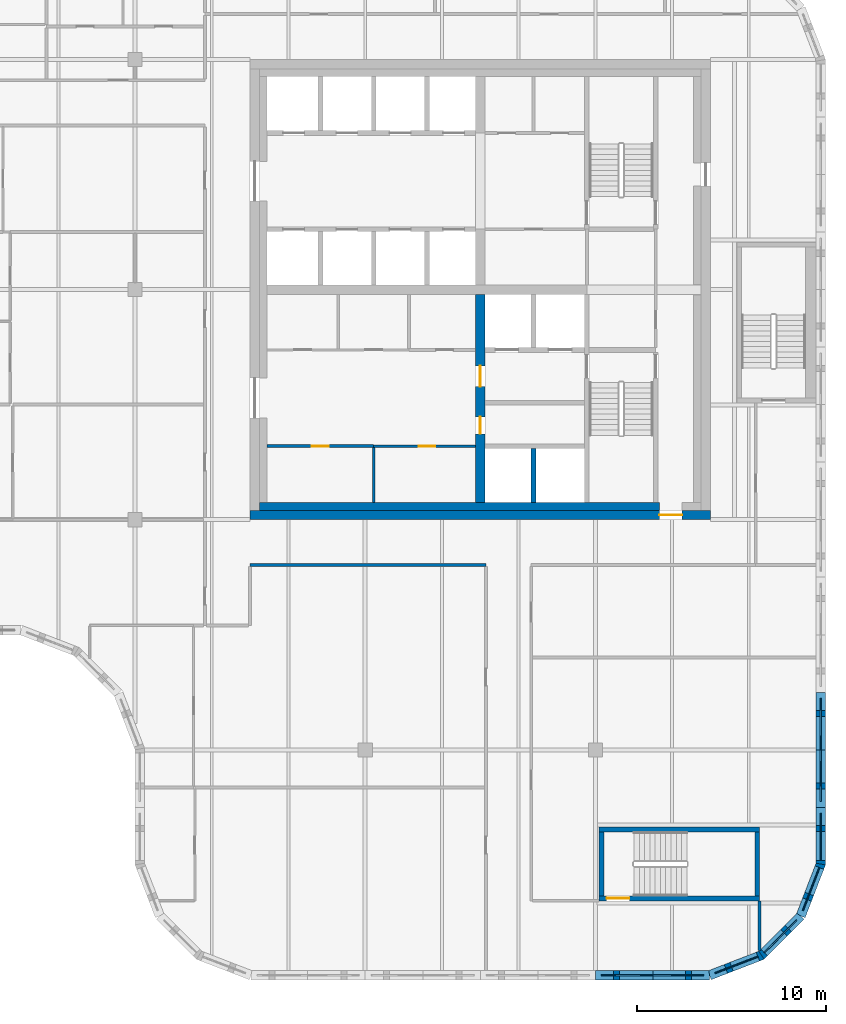
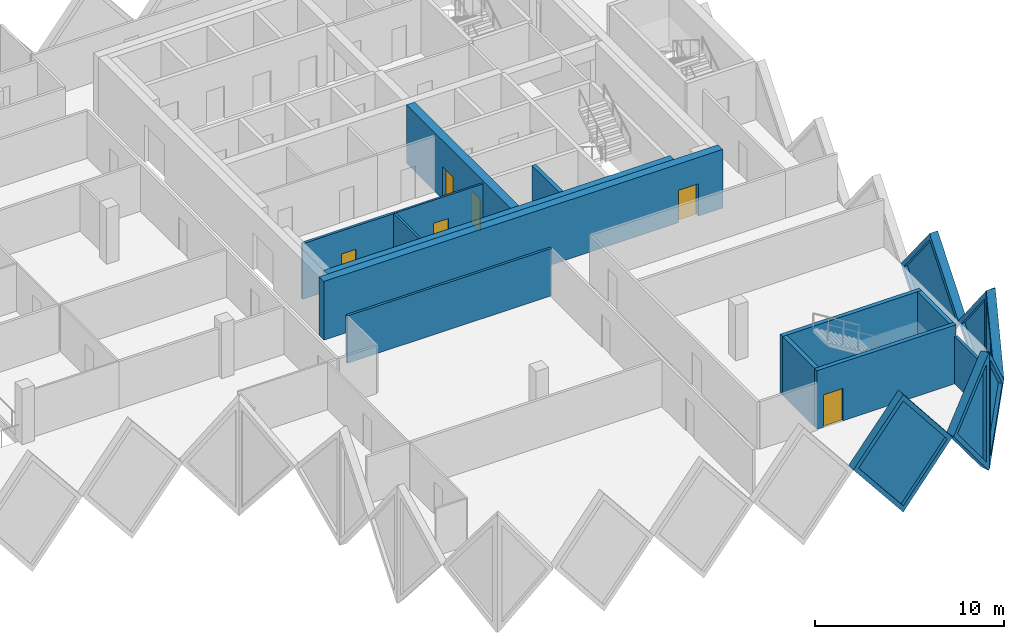
# One storey, part 5 of 11: 19 walls, 6 doors, 6 plates, 12 openings.
"""IFC4 building model written with IfcOpenShell, lengths in metres."""

from ifc_helpers import new_model, si_unit, direction, frame, frame_2d, origin, place, context, subcontext, project, spatial, polyline, rectangle, outline, extrude, faceted_brep, source, transform, mapped, material, layer, layer_set, type_object, element, fill, save


model = new_model("IFC4")

# Units and contexts
model_context = context("Model", 3, precision=1e-05, world=origin(), true_north=direction((0.0, 1.0)))
body_context = subcontext(model_context, "Body", "Model", "MODEL_VIEW")
ifc_project = project(units=[si_unit("LENGTHUNIT", "METRE"), si_unit("AREAUNIT", "SQUARE_METRE"), si_unit("VOLUMEUNIT", "CUBIC_METRE"), si_unit("PLANEANGLEUNIT", "RADIAN"), si_unit("MASSUNIT", "GRAM", prefix="KILO")], contexts=[model_context])

# Site, building, storey
site_placement = place(None, origin())
site = spatial("IfcSite", under=ifc_project, at=site_placement, CompositionType="ELEMENT")
building_placement = place(site_placement, origin())
building = spatial("IfcBuilding", under=site, at=building_placement, Name="Tessera Gate Towers", CompositionType="ELEMENT")
storey_placement = place(building_placement, frame((0.0, 0.0, 224.5)))
storey = spatial("IfcBuildingStorey", under=building, at=storey_placement, Name="L56", CompositionType="ELEMENT", Elevation=224.5)

# Wall
ifc_material_1 = material(Name="Concrete C40/50", Category="concrete")
ifc_layer_1 = layer(ifc_material_1, 0.25)
ifc_layer_set_1 = layer_set([ifc_layer_1], Name="CORE ENCLOSURE WALL 250")
wall_type_1 = type_object("IfcWallType", Name="CORE ENCLOSURE WALL 250", PredefinedType="SOLIDWALL", material=ifc_layer_set_1)
wall_1_placement = place(storey_placement, frame((45.52490234375, 25.300048828125, 0.0), z_axis=(0.0, 0.0, 1.0), x_axis=(0.0, 1.0, 0.0)))
element("IfcWall", 1, at=wall_1_placement, inside=storey, type_object=wall_type_1, Name="L56 shaft and stair enclosure wall", PredefinedType="SOLIDWALL", context=body_context, shape_type="SweptSolid", body=[
    extrude(rectangle(XDim=2.875, YDim=0.25, at=frame_2d((1.4375, 0.0))), origin(), (0.0, 0.0, 1.0), 3.800048828125),
])

# Wall, opening, door
wall_2_placement = place(storey_placement, frame((57.5, 4.324951171875, 0.0), z_axis=(0.0, 0.0, 1.0), x_axis=(-1.0, 0.0, 0.0)))
wall_2 = element("IfcWall", 2, at=wall_2_placement, inside=storey, type_object=wall_type_1, Name="L56 ST4 enclosure wall", PredefinedType="SOLIDWALL", context=body_context, shape_type="SweptSolid", body=[
    extrude(rectangle(XDim=8.5, YDim=0.25, at=frame_2d((4.25, 0.0))), origin(), (0.0, 0.0, 1.0), 3.800048828125),
])
shared_shape_1 = source(origin(), body_context, "Body", "SweptSolid", [
    extrude(rectangle(XDim=1.199951171875, YDim=2.10009765625, at=frame_2d((0.60009765625, 1.050048828125))), frame((0.0, 0.135009765625, 0.0), z_axis=(0.0, -1.0, 0.0), x_axis=(1.0, 0.0, 0.0)), (0.0, 0.0, 1.0), 0.27001953125),
])
opening_1_placement = place(wall_2_placement, frame((6.89990234375, 0.0, 0.0)))
opening_1 = element("IfcOpeningElement", 3, at=opening_1_placement, cuts=wall_2, Name="Opening SD-ST4-1", PredefinedType="OPENING", context=body_context, shape_type="MappedRepresentation", body=[
    mapped(shared_shape_1, transform((0.0, 0.0, 0.0), scale=1.0)),
])
ifc_material_2 = material(Name="Hollow steel fire door", Category="steel")
door_type_1 = type_object("IfcDoorType", Name="CORE DOOR SD 1200x2100", OperationType="NOTDEFINED", PredefinedType="DOOR", material=ifc_material_2)
shared_shape_2 = source(origin(), body_context, "Body", "SweptSolid", [
    extrude(rectangle(XDim=1.199951171875, YDim=2.10009765625, at=frame_2d((0.60009765625, 1.050048828125))), frame((0.0, 0.02490234375, 0.0), z_axis=(0.0, -1.0, 0.0), x_axis=(1.0, 0.0, 0.0)), (0.0, 0.0, 1.0), 0.050048828125),
])
door_1_placement = place(opening_1_placement, origin())
door_1 = element("IfcDoor", 4, at=door_1_placement, inside=storey, type_object=door_type_1, Name="Stair door", OperationType="SINGLE_SWING_RIGHT", OverallHeight=2.10009765625, OverallWidth=1.199951171875, PredefinedType="DOOR", context=body_context, shape_type="MappedRepresentation", body=[
    mapped(shared_shape_2, transform((0.0, 0.0, 0.0), scale=1.0)),
])
fill(opening_1, door_1)

# Walls
wall_3_placement = place(storey_placement, frame((49.125, 4.449951171875, 0.0), z_axis=(0.0, 0.0, 1.0), x_axis=(0.0, 1.0, 0.0)))
element("IfcWall", 5, at=wall_3_placement, inside=storey, type_object=wall_type_1, Name="L56 ST4 enclosure wall", PredefinedType="SOLIDWALL", context=body_context, shape_type="SweptSolid", body=[
    extrude(rectangle(XDim=3.400146484375, YDim=0.25, at=frame_2d((1.7001953125, 0.0))), origin(), (0.0, 0.0, 1.0), 3.800048828125),
])
wall_4_placement = place(storey_placement, frame((49.0, 7.97509765625, 0.0), z_axis=(0.0, 0.0, 1.0), x_axis=(1.0, 0.0, 0.0)))
element("IfcWall", 6, at=wall_4_placement, inside=storey, type_object=wall_type_1, Name="L56 ST4 enclosure wall", PredefinedType="SOLIDWALL", context=body_context, shape_type="SweptSolid", body=[
    extrude(rectangle(XDim=8.5, YDim=0.25, at=frame_2d((4.25, 0.0))), origin(), (0.0, 0.0, 1.0), 3.800048828125),
])
wall_5_placement = place(storey_placement, frame((57.375, 7.85009765625, 0.0), z_axis=(0.0, 0.0, 1.0), x_axis=(0.0, -1.0, 0.0)))
element("IfcWall", 7, at=wall_5_placement, inside=storey, type_object=wall_type_1, Name="L56 ST4 enclosure wall", PredefinedType="SOLIDWALL", context=body_context, shape_type="SweptSolid", body=[
    extrude(rectangle(XDim=3.400146484375, YDim=0.25, at=frame_2d((1.7001953125, 0.0))), origin(), (0.0, 0.0, 1.0), 3.800048828125),
])

# Wall, opening, door
ifc_material_3 = material(Name="Gypsum board on steel studs", Category="steel")
ifc_layer_2 = layer(ifc_material_3, 0.1201171875)
ifc_layer_set_2 = layer_set([ifc_layer_2], Name="CORE PARTITION 120")
wall_type_2 = type_object("IfcWallType", Name="CORE PARTITION 120", PredefinedType="PARTITIONING", material=ifc_layer_set_2)
wall_6_placement = place(storey_placement, frame((42.449951171875, 28.300048828125, 0.0), z_axis=(0.0, 0.0, 1.0), x_axis=(-1.0, 0.0, 0.0)))
wall_6 = element("IfcWall", 8, at=wall_6_placement, inside=storey, type_object=wall_type_2, Name="L56 core partition", PredefinedType="PARTITIONING", context=body_context, shape_type="SweptSolid", body=[
    extrude(rectangle(XDim=5.39990234375, YDim=0.1201171875, at=frame_2d((2.699951171875, 0.0))), origin(), (0.0, 0.0, 1.0), 3.60009765625),
])
shared_shape_3 = source(origin(), body_context, "Body", "SweptSolid", [
    extrude(rectangle(XDim=0.89990234375, YDim=2.10009765625, at=frame_2d((0.449951171875, 1.050048828125))), frame((0.0, 0.070068359375, 0.0), z_axis=(0.0, -1.0, 0.0), x_axis=(1.0, 0.0, 0.0)), (0.0, 0.0, 1.0), 0.14013671875),
])
opening_2_placement = place(wall_6_placement, frame((2.125, 0.0, 0.0)))
opening_2 = element("IfcOpeningElement", 9, at=opening_2_placement, cuts=wall_6, Name="Opening RD-T1-33-14", PredefinedType="OPENING", context=body_context, shape_type="MappedRepresentation", body=[
    mapped(shared_shape_3, transform((0.0, 0.0, 0.0), scale=1.0)),
])
ifc_material_4 = material(Name="Hollow steel fire door", Category="steel")
door_type_2 = type_object("IfcDoorType", Name="CORE DOOR RD 900x2100", OperationType="NOTDEFINED", PredefinedType="DOOR", material=ifc_material_4)
shared_shape_4 = source(origin(), body_context, "Body", "SweptSolid", [
    extrude(rectangle(XDim=0.89990234375, YDim=2.10009765625, at=frame_2d((0.449951171875, 1.050048828125))), frame((0.0, 0.02490234375, 0.0), z_axis=(0.0, -1.0, 0.0), x_axis=(1.0, 0.0, 0.0)), (0.0, 0.0, 1.0), 0.050048828125),
])
door_2_placement = place(opening_2_placement, origin())
door_2 = element("IfcDoor", 10, at=door_2_placement, inside=storey, type_object=door_type_2, Name="Core room door", OperationType="SINGLE_SWING_LEFT", OverallHeight=2.10009765625, OverallWidth=0.89990234375, PredefinedType="DOOR", context=body_context, shape_type="MappedRepresentation", body=[
    mapped(shared_shape_4, transform((0.0, 0.0, 0.0), scale=1.0)),
])
fill(opening_2, door_2)

ifc_material_5 = material(Name="Concrete C50/60", Category="concrete")
ifc_layer_3 = layer(ifc_material_5, 0.5)
ifc_layer_set_3 = layer_set([ifc_layer_3], Name="CORE SHEAR WALL 500 C50/60")
wall_type_3 = type_object("IfcWallType", Name="CORE SHEAR WALL 500 C50/60", PredefinedType="SHEAR", material=ifc_layer_set_3)
wall_7_placement = place(storey_placement, frame((54.89990234375, 24.64990234375, 0.0), z_axis=(0.0, 0.0, 1.0), x_axis=(-1.0, 0.0, 0.0)))
wall_7 = element("IfcWall", 11, at=wall_7_placement, inside=storey, type_object=wall_type_3, Name="Core wall S L56", PredefinedType="SHEAR", context=body_context, shape_type="SweptSolid", body=[
    extrude(rectangle(XDim=24.39990234375, YDim=0.5, at=frame_2d((12.199951171875, 0.0))), origin(), (0.0, 0.0, 1.0), 3.800048828125),
])
shared_shape_5 = source(origin(), body_context, "Body", "SweptSolid", [
    extrude(rectangle(XDim=1.199951171875, YDim=2.10009765625, at=frame_2d((0.60009765625, 1.050048828125))), frame((0.0, 0.260009765625, 0.0), z_axis=(0.0, -1.0, 0.0), x_axis=(1.0, 0.0, 0.0)), (0.0, 0.0, 1.0), 0.52001953125),
])
opening_3_placement = place(wall_7_placement, frame((1.5, 0.0, 0.0)))
opening_3 = element("IfcOpeningElement", 12, at=opening_3_placement, cuts=wall_7, Name="Opening ED-T1-33-01", PredefinedType="OPENING", context=body_context, shape_type="MappedRepresentation", body=[
    mapped(shared_shape_5, transform((0.0, 0.0, 0.0), scale=1.0)),
])
ifc_material_6 = material(Name="Hollow steel fire door", Category="steel")
door_type_3 = type_object("IfcDoorType", Name="CORE DOOR ED 1200x2100", OperationType="NOTDEFINED", PredefinedType="DOOR", material=ifc_material_6)
door_3_placement = place(opening_3_placement, origin())
door_3 = element("IfcDoor", 13, at=door_3_placement, inside=storey, type_object=door_type_3, Name="Core exit door", OperationType="SINGLE_SWING_LEFT", OverallHeight=2.10009765625, OverallWidth=1.199951171875, PredefinedType="DOOR", context=body_context, shape_type="MappedRepresentation", body=[
    mapped(shared_shape_2, transform((0.0, 0.0, 0.0), scale=1.0)),
])
fill(opening_3, door_3)

# Wall, openings, doors
ifc_material_7 = material(Name="Concrete C50/60", Category="concrete")
ifc_layer_4 = layer(ifc_material_7, 0.5)
ifc_layer_set_4 = layer_set([ifc_layer_4], Name="CORE SPINE WALL 500 C50/60")
wall_type_4 = type_object("IfcWallType", Name="CORE SPINE WALL 500 C50/60", PredefinedType="SHEAR", material=ifc_layer_set_4)
wall_8_placement = place(storey_placement, frame((42.699951171875, 36.35009765625, 0.0), z_axis=(0.0, 0.0, 1.0), x_axis=(0.0, -1.0, 0.0)))
wall_8 = element("IfcWall", 14, at=wall_8_placement, inside=storey, type_object=wall_type_4, Name="Core wall spine L56", PredefinedType="SHEAR", context=body_context, shape_type="SweptSolid", body=[
    extrude(rectangle(XDim=11.050048828125, YDim=0.5, at=frame_2d((5.52490234375, 0.0))), origin(), (0.0, 0.0, 1.0), 3.800048828125),
])
shared_shape_6 = source(origin(), body_context, "Body", "SweptSolid", [
    extrude(rectangle(XDim=0.89990234375, YDim=2.10009765625, at=frame_2d((0.449951171875, 1.050048828125))), frame((0.0, 0.260009765625, 0.0), z_axis=(0.0, -1.0, 0.0), x_axis=(1.0, 0.0, 0.0)), (0.0, 0.0, 1.0), 0.52001953125),
])
opening_4_placement = place(wall_8_placement, frame((6.5, 0.0, 0.0)))
opening_4 = element("IfcOpeningElement", 15, at=opening_4_placement, cuts=wall_8, Name="Opening RD-T1-33-05", PredefinedType="OPENING", context=body_context, shape_type="MappedRepresentation", body=[
    mapped(shared_shape_6, transform((0.0, 0.0, 0.0), scale=1.0)),
])
shared_shape_7 = source(origin(), body_context, "Body", "SweptSolid", [
    extrude(rectangle(XDim=1.10009765625, YDim=2.10009765625, at=frame_2d((0.550048828125, 1.050048828125))), frame((0.0, 0.260009765625, 0.0), z_axis=(0.0, -1.0, 0.0), x_axis=(1.0, 0.0, 0.0)), (0.0, 0.0, 1.0), 0.52001953125),
])
opening_5_placement = place(wall_8_placement, frame((3.800048828125, 0.0, 0.0)))
opening_5 = element("IfcOpeningElement", 16, at=opening_5_placement, cuts=wall_8, Name="Opening FD-T1-33-06", PredefinedType="OPENING", context=body_context, shape_type="MappedRepresentation", body=[
    mapped(shared_shape_7, transform((0.0, 0.0, 0.0), scale=1.0)),
])
door_4_placement = place(opening_4_placement, origin())
door_4 = element("IfcDoor", 17, at=door_4_placement, inside=storey, type_object=door_type_2, Name="Core room door", OperationType="SINGLE_SWING_RIGHT", OverallHeight=2.10009765625, OverallWidth=0.89990234375, PredefinedType="DOOR", context=body_context, shape_type="MappedRepresentation", body=[
    mapped(shared_shape_4, transform((0.0, 0.0, 0.0), scale=1.0)),
])
fill(opening_4, door_4)
ifc_material_8 = material(Name="Hollow steel fire door", Category="steel")
door_type_4 = type_object("IfcDoorType", Name="CORE DOOR FD 1100x2100", OperationType="NOTDEFINED", PredefinedType="DOOR", material=ifc_material_8)
shared_shape_8 = source(origin(), body_context, "Body", "SweptSolid", [
    extrude(rectangle(XDim=1.10009765625, YDim=2.10009765625, at=frame_2d((0.550048828125, 1.050048828125))), frame((0.0, 0.02490234375, 0.0), z_axis=(0.0, -1.0, 0.0), x_axis=(1.0, 0.0, 0.0)), (0.0, 0.0, 1.0), 0.050048828125),
])
door_5_placement = place(opening_5_placement, origin())
door_5 = element("IfcDoor", 18, at=door_5_placement, inside=storey, type_object=door_type_4, Name="Fire-fighting lobby door", OperationType="SINGLE_SWING_LEFT", OverallHeight=2.10009765625, OverallWidth=1.10009765625, PredefinedType="DOOR", context=body_context, shape_type="MappedRepresentation", body=[
    mapped(shared_shape_8, transform((0.0, 0.0, 0.0), scale=1.0)),
])
fill(opening_5, door_5)

# Walls
ifc_material_9 = material(Name="Concrete C50/60", Category="concrete")
ifc_layer_5 = layer(ifc_material_9, 0.39990234375)
ifc_layer_set_5 = layer_set([ifc_layer_5], Name="CORE WALL THICKENING 400")
wall_type_5 = type_object("IfcWallType", Name="CORE WALL THICKENING 400", PredefinedType="SOLIDWALL", material=ifc_layer_set_5)
wall_9_placement = place(storey_placement, frame((31.0, 25.10009765625, 0.0), z_axis=(0.0, 0.0, 1.0), x_axis=(1.0, 0.0, 0.0)))
element("IfcWall", 19, at=wall_9_placement, inside=storey, type_object=wall_type_5, Name="Core wall thickening S L56", PredefinedType="SOLIDWALL", context=body_context, shape_type="SweptSolid", body=[
    extrude(rectangle(XDim=21.199951171875, YDim=0.39990234375, at=frame_2d((10.60009765625, 0.0))), origin(), (0.0, 0.0, 1.0), 3.800048828125),
])
ifc_material_10 = material(Name="Gypsum board on steel studs, mineral wool", Category="steel")
ifc_layer_6 = layer(ifc_material_10, 0.14990234375)
ifc_layer_set_6 = layer_set([ifc_layer_6], Name="CORRIDOR WALL 150")
wall_type_6 = type_object("IfcWallType", Name="CORRIDOR WALL 150", PredefinedType="PARTITIONING", material=ifc_layer_set_6)
wall_10_placement = place(storey_placement, frame((57.5, 1.55908203125, 0.0), z_axis=(0.0, 0.0, 1.0), x_axis=(0.0, 1.0, 0.0)))
element("IfcWall", 20, at=wall_10_placement, inside=storey, type_object=wall_type_6, Name="T1-L56-PW-002", PredefinedType="PARTITIONING", context=body_context, shape_type="SweptSolid", body=[
    extrude(rectangle(XDim=2.640869140625, YDim=0.14990234375, at=frame_2d((1.3203125, 0.0))), origin(), (0.0, 0.0, 1.0), 3.06689453125),
])
wall_11_placement = place(storey_placement, frame((30.5, 22.0, 0.0), z_axis=(0.0, 0.0, 1.0), x_axis=(1.0, 0.0, 0.0)))
element("IfcWall", 21, at=wall_11_placement, inside=storey, type_object=wall_type_6, Name="T1-L56-PW-018", PredefinedType="PARTITIONING", context=body_context, shape_type="SweptSolid", body=[
    extrude(rectangle(XDim=12.5, YDim=0.14990234375, at=frame_2d((6.25, 0.0))), origin(), (0.0, 0.0, 1.0), 3.06689453125),
])

# Wall, opening, door
ifc_material_11 = material(Name="Gypsum board on steel studs", Category="steel")
ifc_layer_7 = layer(ifc_material_11, 0.14990234375)
ifc_layer_set_7 = layer_set([ifc_layer_7], Name="SERVICE ROOM WALL 150")
wall_type_7 = type_object("IfcWallType", Name="SERVICE ROOM WALL 150", PredefinedType="PARTITIONING", material=ifc_layer_set_7)
wall_12_placement = place(storey_placement, frame((37.050048828125, 28.300048828125, 0.0), z_axis=(0.0, 0.0, 1.0), x_axis=(-1.0, 0.0, 0.0)))
wall_12 = element("IfcWall", 22, at=wall_12_placement, inside=storey, type_object=wall_type_7, Name="L56 service room wall", PredefinedType="PARTITIONING", context=body_context, shape_type="SweptSolid", body=[
    extrude(rectangle(XDim=5.650146484375, YDim=0.14990234375, at=frame_2d((2.8251953125, 0.0))), origin(), (0.0, 0.0, 1.0), 3.60009765625),
])
shared_shape_9 = source(origin(), body_context, "Body", "SweptSolid", [
    extrude(rectangle(XDim=0.89990234375, YDim=2.10009765625, at=frame_2d((0.449951171875, 1.050048828125))), frame((0.0, 0.0849609375, 0.0), z_axis=(0.0, -1.0, 0.0), x_axis=(1.0, 0.0, 0.0)), (0.0, 0.0, 1.0), 0.169921875),
])
opening_6_placement = place(wall_12_placement, frame((2.375, 0.0, 0.0)))
opening_6 = element("IfcOpeningElement", 23, at=opening_6_placement, cuts=wall_12, Name="Opening RD-T1-33-13", PredefinedType="OPENING", context=body_context, shape_type="MappedRepresentation", body=[
    mapped(shared_shape_9, transform((0.0, 0.0, 0.0), scale=1.0)),
])
door_6_placement = place(opening_6_placement, origin())
door_6 = element("IfcDoor", 24, at=door_6_placement, inside=storey, type_object=door_type_2, Name="Core room door", OperationType="SINGLE_SWING_LEFT", OverallHeight=2.10009765625, OverallWidth=0.89990234375, PredefinedType="DOOR", context=body_context, shape_type="MappedRepresentation", body=[
    mapped(shared_shape_4, transform((0.0, 0.0, 0.0), scale=1.0)),
])
fill(opening_6, door_6)

# Wall
wall_13_placement = place(storey_placement, frame((37.050048828125, 25.300048828125, 0.0), z_axis=(0.0, 0.0, 1.0), x_axis=(0.0, 1.0, 0.0)))
element("IfcWall", 25, at=wall_13_placement, inside=storey, type_object=wall_type_7, Name="L56 service room wall", PredefinedType="PARTITIONING", context=body_context, shape_type="SweptSolid", body=[
    extrude(rectangle(XDim=2.925048828125, YDim=0.14990234375, at=frame_2d((1.46240234375, 0.0))), origin(), (0.0, 0.0, 1.0), 3.60009765625),
])

# Wall, opening, plate
ifc_material_12 = material(Name="Precast concrete C60/75 white", Category="concrete")
ifc_layer_8 = layer(ifc_material_12, 0.5)
ifc_layer_set_8 = layer_set([ifc_layer_8], Name="TS1 tessera")
wall_type_8 = type_object("IfcWallType", Name="TS1 tessera", PredefinedType="SOLIDWALL", material=ifc_layer_set_8)
shared_shape_10 = source(origin(), body_context, "Body", "SweptSolid", [
    extrude(outline(polyline([(3.050048828125, 0.0), (6.10009765625, 3.800048828125), (3.050048828125, 7.60009765625), (0.0, 3.800048828125), (3.050048828125, 0.0)])), frame((0.0, 0.25, 0.0), z_axis=(0.0, -1.0, 0.0), x_axis=(1.0, 0.0, 0.0)), (0.0, 0.0, 1.0), 0.5),
])
wall_14_placement = place(storey_placement, frame((60.75, 9.14990234375, -3.800048828125), z_axis=(0.0, 0.0, 1.0), x_axis=(0.0, 1.0, 0.0)))
wall_14 = element("IfcWall", 26, at=wall_14_placement, inside=storey, type_object=wall_type_8, Name="Precast tessera T1 TS1-0993", PredefinedType="SOLIDWALL", context=body_context, shape_type="MappedRepresentation", body=[
    mapped(shared_shape_10, transform((0.0, 0.0, 0.0), scale=1.0)),
])
shared_shape_11 = source(origin(), body_context, "Body", "SweptSolid", [
    extrude(outline(polyline([(3.050048828125, 0.3994140625), (5.779541015625, 3.800048828125), (3.050048828125, 7.20068359375), (0.320556640625, 3.800048828125), (3.050048828125, 0.3994140625)])), frame((0.0, 0.260009765625, 0.0), z_axis=(0.0, -1.0, 0.0), x_axis=(1.0, 0.0, 0.0)), (0.0, 0.0, 1.0), 0.52001953125),
])
opening_7_placement = place(wall_14_placement, origin())
opening_7 = element("IfcOpeningElement", 27, at=opening_7_placement, cuts=wall_14, Name="Opening T1-PL2-2029", PredefinedType="OPENING", context=body_context, shape_type="MappedRepresentation", body=[
    mapped(shared_shape_11, transform((0.0, 0.0, 0.0), scale=1.0)),
])
ifc_material_13 = material(Name="Low-e laminated glass", Category="glass")
ifc_layer_9 = layer(ifc_material_13, 0.06005859375)
ifc_layer_set_9 = layer_set([ifc_layer_9], Name="PL2 rhombic pane")
plate_type = type_object("IfcPlateType", Name="PL2 rhombic pane", PredefinedType="SHEET", material=ifc_layer_set_9)
shared_shape_12 = source(origin(), body_context, "Body", "SweptSolid", [
    extrude(outline(polyline([(3.050048828125, 0.3994140625), (5.779541015625, 3.800048828125), (3.050048828125, 7.20068359375), (0.320556640625, 3.800048828125), (3.050048828125, 0.3994140625)])), frame((0.0, 0.030029296875, 0.0), z_axis=(0.0, -1.0, 0.0), x_axis=(1.0, 0.0, 0.0)), (0.0, 0.0, 1.0), 0.06005859375),
])
plate_1_placement = place(opening_7_placement, origin())
plate_1 = element("IfcPlate", 28, at=plate_1_placement, inside=storey, type_object=plate_type, Name="Glass pane T1 PL2-2029", PredefinedType="SHEET", context=body_context, shape_type="MappedRepresentation", body=[
    mapped(shared_shape_12, transform((0.0, 0.0, 0.0), scale=1.0)),
])
fill(opening_7, plate_1)

shared_shape_13 = source(origin(), body_context, "Body", "Brep", [
    faceted_brep([(3.050048828125, -0.25, 0.0), (6.053466796875, -0.25, 3.800048828125), (3.050048828125, -0.25, 7.60009765625), (0.0, -0.25, 3.800048828125), (0.0, 0.25, 3.800048828125), (3.050048828125, 0.25, 7.60009765625), (6.0068359375, 0.25, 3.85888671875), (6.0068359375, 0.25, 3.7412109375), (3.050048828125, 0.25, 0.0), (6.053466796875, 0.0, 3.800048828125)], [[[0, 1, 2, 3]], [[4, 5, 6, 7, 8]], [[8, 7, 9, 1, 0]], [[6, 5, 2, 1, 9]], [[5, 4, 3, 2]], [[4, 8, 0, 3]], [[9, 7, 6]]]),
])
wall_15_placement = place(storey_placement, frame((48.800048828125, 0.25, -3.800048828125), z_axis=(0.0, 0.0, 1.0), x_axis=(1.0, 0.0, 0.0)))
wall_15 = element("IfcWall", 29, at=wall_15_placement, inside=storey, type_object=wall_type_8, Name="Precast tessera T1 TS1-0992", PredefinedType="SOLIDWALL", context=body_context, shape_type="MappedRepresentation", body=[
    mapped(shared_shape_13, transform((0.0, 0.0, 0.0), scale=1.0)),
])
shared_shape_14 = source(origin(), body_context, "Body", "SweptSolid", [
    extrude(outline(polyline([(3.048583984375, 0.4013671875), (5.73486328125, 3.800048828125), (3.048583984375, 7.19873046875), (0.320556640625, 3.800048828125), (3.048583984375, 0.4013671875)])), frame((0.0, 0.260009765625, 0.0), z_axis=(0.0, -1.0, 0.0), x_axis=(1.0, 0.0, 0.0)), (0.0, 0.0, 1.0), 0.52001953125),
])
opening_8_placement = place(wall_15_placement, origin())
opening_8 = element("IfcOpeningElement", 30, at=opening_8_placement, cuts=wall_15, Name="Opening T1-PL2-2024", PredefinedType="OPENING", context=body_context, shape_type="MappedRepresentation", body=[
    mapped(shared_shape_14, transform((0.0, 0.0, 0.0), scale=1.0)),
])
shared_shape_15 = source(origin(), body_context, "Body", "SweptSolid", [
    extrude(outline(polyline([(3.048583984375, 0.4013671875), (5.73486328125, 3.800048828125), (3.048583984375, 7.19873046875), (0.320556640625, 3.800048828125), (3.048583984375, 0.4013671875)])), frame((0.0, 0.030029296875, 0.0), z_axis=(0.0, -1.0, 0.0), x_axis=(1.0, 0.0, 0.0)), (0.0, 0.0, 1.0), 0.06005859375),
])
plate_2_placement = place(opening_8_placement, origin())
plate_2 = element("IfcPlate", 31, at=plate_2_placement, inside=storey, type_object=plate_type, Name="Glass pane T1 PL2-2024", PredefinedType="SHEET", context=body_context, shape_type="MappedRepresentation", body=[
    mapped(shared_shape_15, transform((0.0, 0.0, 0.0), scale=1.0)),
])
fill(opening_8, plate_2)

ifc_material_14 = material(Name="Precast concrete C60/75 white", Category="concrete")
ifc_layer_10 = layer(ifc_material_14, 0.5)
ifc_layer_set_10 = layer_set([ifc_layer_10], Name="TS3 corner tessera")
wall_type_9 = type_object("IfcWallType", Name="TS3 corner tessera", PredefinedType="SOLIDWALL", material=ifc_layer_set_10)
shared_shape_16 = source(origin(), body_context, "Body", "Brep", [
    faceted_brep([(2.950439453125, -0.25, 0.0), (3.00341796875, -0.25, 0.068359375), (3.00341796875, -0.25, 7.53173828125), (2.950439453125, -0.25, 7.60009765625), (0.0, -0.25, 3.800048828125), (0.046630859375, 0.25, 3.860107421875), (2.897705078125, 0.25, 7.531982421875), (2.897705078125, 0.25, 0.068115234375), (0.046630859375, 0.25, 3.739990234375), (2.950439453125, 0.00048828125, 0.0), (2.950439453125, 0.00048828125, 7.60009765625), (0.0, 0.0, 3.800048828125)], [[[0, 1, 2, 3, 4]], [[5, 6, 7, 8]], [[1, 0, 9]], [[10, 3, 2]], [[6, 5, 11, 4, 3, 10]], [[8, 7, 9, 0, 4, 11]], [[8, 11, 5]], [[1, 9, 7, 6, 10, 2]]]),
])
wall_16_placement = place(storey_placement, frame((54.853515625, 0.25, -3.800048828125), z_axis=(0.0, 0.0, 1.0), x_axis=(0.932970071518, 0.359953949349, 0.0)))
wall_16 = element("IfcWall", 32, at=wall_16_placement, inside=storey, type_object=wall_type_9, Name="Precast corner tessera T1 TS3-1297", PredefinedType="SOLIDWALL", context=body_context, shape_type="MappedRepresentation", body=[
    mapped(shared_shape_16, transform((0.0, 0.0, 0.0), scale=1.0)),
])
shared_shape_17 = source(origin(), body_context, "Body", "SweptSolid", [
    extrude(outline(polyline([(2.75048828125, 6.934814453125), (0.31640625, 3.800048828125), (2.75048828125, 0.665283203125), (2.75048828125, 6.934814453125)])), frame((0.0, 0.260009765625, 0.0), z_axis=(0.0, -1.0, 0.0), x_axis=(1.0, 0.0, 0.0)), (0.0, 0.0, 1.0), 0.52001953125),
])
opening_9_placement = place(wall_16_placement, origin())
opening_9 = element("IfcOpeningElement", 33, at=opening_9_placement, cuts=wall_16, Name="Opening T1-PL2-2025", PredefinedType="OPENING", context=body_context, shape_type="MappedRepresentation", body=[
    mapped(shared_shape_17, transform((0.0, 0.0, 0.0), scale=1.0)),
])
shared_shape_18 = source(origin(), body_context, "Body", "SweptSolid", [
    extrude(outline(polyline([(2.75048828125, 6.934814453125), (0.31640625, 3.800048828125), (2.75048828125, 0.665283203125), (2.75048828125, 6.934814453125)])), frame((0.0, 0.030029296875, 0.0), z_axis=(0.0, -1.0, 0.0), x_axis=(1.0, 0.0, 0.0)), (0.0, 0.0, 1.0), 0.06005859375),
])
plate_3_placement = place(opening_9_placement, origin())
plate_3 = element("IfcPlate", 34, at=plate_3_placement, inside=storey, type_object=plate_type, Name="Glass pane T1 PL2-2025", PredefinedType="SHEET", context=body_context, shape_type="MappedRepresentation", body=[
    mapped(shared_shape_18, transform((0.0, 0.0, 0.0), scale=1.0)),
])
fill(opening_9, plate_3)

shared_shape_19 = source(origin(), body_context, "Body", "Brep", [
    faceted_brep([(0.052978515625, -0.25, 0.0), (2.9970703125, -0.25, 3.800048828125), (0.052978515625, -0.25, 7.60009765625), (0.0, -0.25, 7.531982421875), (0.0, -0.25, 0.068115234375), (0.10595703125, 0.25, 7.53173828125), (2.944091796875, 0.25, 3.8681640625), (2.944091796875, 0.25, 3.73193359375), (0.10595703125, 0.25, 0.068359375), (2.9970703125, 0.000244140625, 3.800048828125), (0.052978515625, 0.0, 0.0), (0.052978515625, 0.0, 7.60009765625)], [[[0, 1, 2, 3, 4]], [[5, 6, 7, 8]], [[8, 7, 9, 1, 0, 10]], [[6, 5, 11, 2, 1, 9]], [[3, 2, 11]], [[10, 0, 4]], [[8, 10, 4, 3, 11, 5]], [[9, 7, 6]]]),
])
wall_17_placement = place(storey_placement, frame((57.56884765625, 1.2744140625, -3.800048828125), z_axis=(0.0, 0.0, 1.0), x_axis=(0.707066050402, 0.707147509625, 0.0)))
wall_17 = element("IfcWall", 35, at=wall_17_placement, inside=storey, type_object=wall_type_9, Name="Precast corner tessera T1 TS3-1298", PredefinedType="SOLIDWALL", context=body_context, shape_type="MappedRepresentation", body=[
    mapped(shared_shape_19, transform((0.0, 0.0, 0.0), scale=1.0)),
])
shared_shape_20 = source(origin(), body_context, "Body", "SweptSolid", [
    extrude(outline(polyline([(0.2529296875, 0.666259765625), (2.680908203125, 3.800048828125), (0.2529296875, 6.933837890625), (0.2529296875, 0.666259765625)])), frame((0.0, 0.260009765625, 0.0), z_axis=(0.0, -1.0, 0.0), x_axis=(1.0, 0.0, 0.0)), (0.0, 0.0, 1.0), 0.52001953125),
])
opening_10_placement = place(wall_17_placement, origin())
opening_10 = element("IfcOpeningElement", 36, at=opening_10_placement, cuts=wall_17, Name="Opening T1-PL2-2026", PredefinedType="OPENING", context=body_context, shape_type="MappedRepresentation", body=[
    mapped(shared_shape_20, transform((0.0, 0.0, 0.0), scale=1.0)),
])
shared_shape_21 = source(origin(), body_context, "Body", "SweptSolid", [
    extrude(outline(polyline([(0.2529296875, 0.666259765625), (2.680908203125, 3.800048828125), (0.2529296875, 6.933837890625), (0.2529296875, 0.666259765625)])), frame((0.0, 0.030029296875, 0.0), z_axis=(0.0, -1.0, 0.0), x_axis=(1.0, 0.0, 0.0)), (0.0, 0.0, 1.0), 0.06005859375),
])
plate_4_placement = place(opening_10_placement, origin())
plate_4 = element("IfcPlate", 37, at=plate_4_placement, inside=storey, type_object=plate_type, Name="Glass pane T1 PL2-2026", PredefinedType="SHEET", context=body_context, shape_type="MappedRepresentation", body=[
    mapped(shared_shape_21, transform((0.0, 0.0, 0.0), scale=1.0)),
])
fill(opening_10, plate_4)

shared_shape_22 = source(origin(), body_context, "Body", "Brep", [
    faceted_brep([(2.950439453125, -0.25, 0.0), (2.9970703125, -0.25, 0.05908203125), (2.9970703125, -0.25, 7.541015625), (2.950439453125, -0.25, 7.60009765625), (0.0, -0.25, 3.800048828125), (0.052978515625, 0.25, 3.8681640625), (2.904052734375, 0.25, 7.540283203125), (2.904052734375, 0.25, 0.059814453125), (0.052978515625, 0.25, 3.73193359375), (2.950439453125, 0.00048828125, 0.0), (2.950439453125, 0.00048828125, 7.60009765625), (0.0, 0.0, 3.800048828125)], [[[0, 1, 2, 3, 4]], [[5, 6, 7, 8]], [[1, 0, 9]], [[10, 3, 2]], [[6, 5, 11, 4, 3, 10]], [[8, 7, 9, 0, 4, 11]], [[8, 11, 5]], [[1, 9, 7, 6, 10, 2]]]),
])
wall_18_placement = place(storey_placement, frame((59.68798828125, 3.393798828125, -3.800048828125), z_axis=(0.0, 0.0, 1.0), x_axis=(0.359972353723, 0.932962970624, 0.0)))
wall_18 = element("IfcWall", 38, at=wall_18_placement, inside=storey, type_object=wall_type_9, Name="Precast corner tessera T1 TS3-1299", PredefinedType="SOLIDWALL", context=body_context, shape_type="MappedRepresentation", body=[
    mapped(shared_shape_22, transform((0.0, 0.0, 0.0), scale=1.0)),
])
opening_11_placement = place(wall_18_placement, origin())
opening_11 = element("IfcOpeningElement", 39, at=opening_11_placement, cuts=wall_18, Name="Opening T1-PL2-2027", PredefinedType="OPENING", context=body_context, shape_type="MappedRepresentation", body=[
    mapped(shared_shape_17, transform((0.0, 0.0, 0.0), scale=1.0)),
])
plate_5_placement = place(opening_11_placement, origin())
plate_5 = element("IfcPlate", 40, at=plate_5_placement, inside=storey, type_object=plate_type, Name="Glass pane T1 PL2-2027", PredefinedType="SHEET", context=body_context, shape_type="MappedRepresentation", body=[
    mapped(shared_shape_18, transform((0.0, 0.0, 0.0), scale=1.0)),
])
fill(opening_11, plate_5)

shared_shape_23 = source(origin(), body_context, "Body", "Brep", [
    faceted_brep([(0.046630859375, -0.25, 0.0), (3.050048828125, -0.25, 3.800048828125), (0.046630859375, -0.25, 7.60009765625), (0.0, -0.25, 7.5400390625), (0.0, -0.25, 0.06005859375), (0.09326171875, 0.25, 7.541259765625), (3.050048828125, 0.25, 3.800048828125), (0.09326171875, 0.25, 0.058837890625), (0.046630859375, 0.0, 0.0), (0.046630859375, 0.0, 7.60009765625)], [[[0, 1, 2, 3, 4]], [[5, 6, 7]], [[7, 6, 1, 0, 8]], [[6, 5, 9, 2, 1]], [[3, 2, 9]], [[8, 0, 4]], [[7, 8, 4, 3, 9, 5]]]),
])
wall_19_placement = place(storey_placement, frame((60.75, 6.099853515625, -3.800048828125), z_axis=(0.0, 0.0, 1.0), x_axis=(0.0, 1.0, 0.0)))
wall_19 = element("IfcWall", 41, at=wall_19_placement, inside=storey, type_object=wall_type_9, Name="Precast corner tessera T1 TS3-1300", PredefinedType="SOLIDWALL", context=body_context, shape_type="MappedRepresentation", body=[
    mapped(shared_shape_23, transform((0.0, 0.0, 0.0), scale=1.0)),
])
shared_shape_24 = source(origin(), body_context, "Body", "SweptSolid", [
    extrude(outline(polyline([(0.24658203125, 0.65625), (2.7314453125, 3.800048828125), (0.24658203125, 6.94384765625), (0.24658203125, 0.65625)])), frame((0.0, 0.260009765625, 0.0), z_axis=(0.0, -1.0, 0.0), x_axis=(1.0, 0.0, 0.0)), (0.0, 0.0, 1.0), 0.52001953125),
])
opening_12_placement = place(wall_19_placement, origin())
opening_12 = element("IfcOpeningElement", 42, at=opening_12_placement, cuts=wall_19, Name="Opening T1-PL2-2028", PredefinedType="OPENING", context=body_context, shape_type="MappedRepresentation", body=[
    mapped(shared_shape_24, transform((0.0, 0.0, 0.0), scale=1.0)),
])
shared_shape_25 = source(origin(), body_context, "Body", "SweptSolid", [
    extrude(outline(polyline([(0.24658203125, 0.65625), (2.7314453125, 3.800048828125), (0.24658203125, 6.94384765625), (0.24658203125, 0.65625)])), frame((0.0, 0.030029296875, 0.0), z_axis=(0.0, -1.0, 0.0), x_axis=(1.0, 0.0, 0.0)), (0.0, 0.0, 1.0), 0.06005859375),
])
plate_6_placement = place(opening_12_placement, origin())
plate_6 = element("IfcPlate", 43, at=plate_6_placement, inside=storey, type_object=plate_type, Name="Glass pane T1 PL2-2028", PredefinedType="SHEET", context=body_context, shape_type="MappedRepresentation", body=[
    mapped(shared_shape_25, transform((0.0, 0.0, 0.0), scale=1.0)),
])
fill(opening_12, plate_6)

save(model, "model.ifc")
